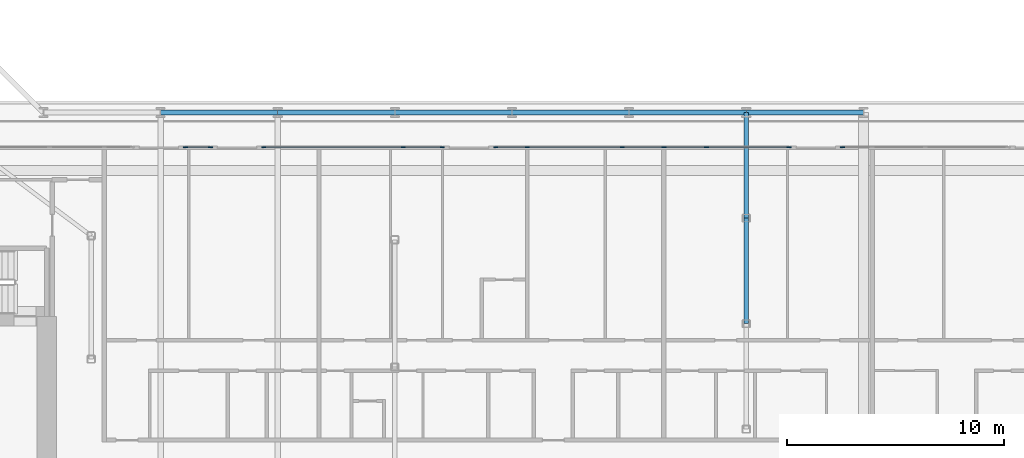
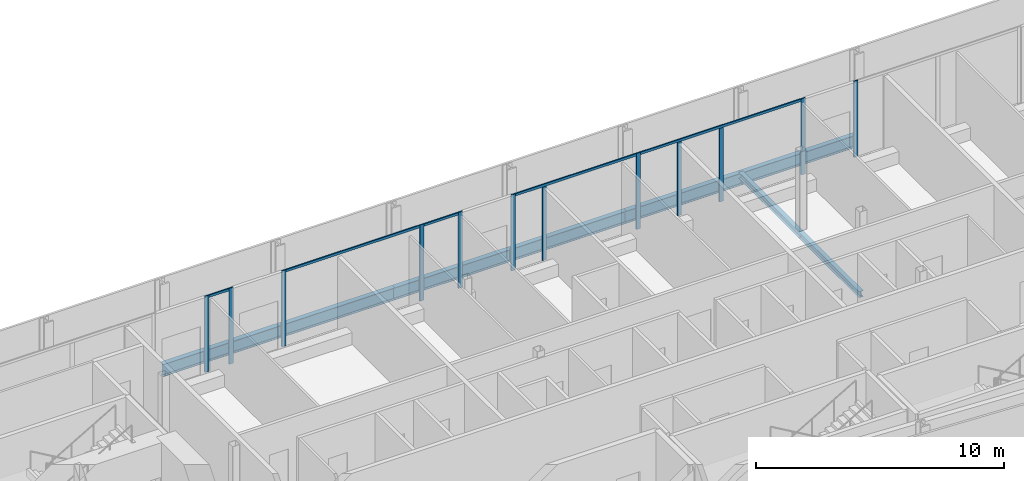
# One storey, part 6 of 28: 17 members, 8 beams, 6 elements without a shape of their own.
"""IFC4 building model written with IfcOpenShell, lengths in metres."""

from ifc_helpers import new_model, si_unit, direction, frame, origin, origin_2d, place, context, subcontext, project, spatial, rectangle, i_section, extrude, material, layer, layer_set, material_profile, profile_set, type_object, element, aggregate, save


model = new_model("IFC4")

# Units and contexts
model_context = context("Model", 3, precision=1e-05, world=origin(), true_north=direction((0.0, 1.0)))
body_context = subcontext(model_context, "Body", "Model", "MODEL_VIEW")
ifc_project = project(units=[si_unit("LENGTHUNIT", "METRE"), si_unit("AREAUNIT", "SQUARE_METRE"), si_unit("VOLUMEUNIT", "CUBIC_METRE"), si_unit("PLANEANGLEUNIT", "RADIAN"), si_unit("MASSUNIT", "GRAM", prefix="KILO")], contexts=[model_context])

# Site, building, storey
site_placement = place(None, origin())
site = spatial("IfcSite", under=ifc_project, at=site_placement, CompositionType="ELEMENT")
building_placement = place(site_placement, origin())
building = spatial("IfcBuilding", under=site, at=building_placement, Name="Kheshtan School and Residences Tower", CompositionType="ELEMENT")
storey_placement = place(building_placement, frame((0.0, 0.0, 133.10009765625)))
storey = spatial("IfcBuildingStorey", under=building, at=storey_placement, Name="L31", CompositionType="ELEMENT", Elevation=133.10009765625)

# Beams
ifc_material_1 = material(Name="Steel ASTM A992 Grade 50", Category="steel")
ifc_material_profile_1 = material_profile(ifc_material_1, i_section(OverallWidth=0.202880859375, OverallDepth=0.302978515625, WebThickness=0.007568359375, FlangeThickness=0.01318359375, FilletRadius=0.009033203125, at=origin_2d()), Name="W310x60")
ifc_profile_set_1 = profile_set([ifc_material_profile_1], Name="Steel ASTM A992 Grade 50")
beam_type_1 = type_object("IfcBeamType", Name="Beam FB1 W310x60 ASTM A992 Grade 50", PredefinedType="BEAM", material=ifc_profile_set_1)
for number, where, z_axis, x_axis, name in (
    (1, (85.39990234375, 45.60009765625, -0.301513671875), (0.0, -1.0, 0.0), (1.0, 0.0, 0.0), "Floor beam C067"),
    (2, (85.39990234375, 40.735107421875, -0.301513671875), (0.0, -1.0, 0.0), (1.0, 0.0, 0.0), "Floor beam IC"),
):
    element("IfcBeam", number, at=place(storey_placement, frame(where, z_axis=z_axis, x_axis=x_axis)), inside=storey, type_object=beam_type_1, Name=name, PredefinedType="BEAM", context=body_context, shape_type="SweptSolid", body=[
        extrude(i_section(OverallWidth=0.202880859375, OverallDepth=0.302978515625, WebThickness=0.007568359375, FlangeThickness=0.01318359375, FilletRadius=0.009033203125, at=origin_2d()), origin(), (0.0, 0.0, 1.0), 4.864990234375),
    ])
ifc_material_profile_2 = material_profile(ifc_material_1, i_section(OverallWidth=0.22802734375, OverallDepth=0.60302734375, WebThickness=0.010498046875, FlangeThickness=0.014892578125, FilletRadius=0.013427734375, at=origin_2d()), Name="W610x101")
ifc_profile_set_2 = profile_set([ifc_material_profile_2], Name="Steel ASTM A992 Grade 50")
beam_type_2 = type_object("IfcBeamType", Name="Beam SP2 W610x101 ASTM A992 Grade 50", PredefinedType="BEAM", material=ifc_profile_set_2)
beam_1_placement = place(storey_placement, frame((58.39990234375, 45.60009765625, -0.45166015625), z_axis=(1.0, 0.0, 0.0), x_axis=(0.0, 1.0, 0.0)))
element("IfcBeam", 3, at=beam_1_placement, inside=storey, type_object=beam_type_2, Name="Spandrel beam C062-C063", PredefinedType="BEAM", context=body_context, shape_type="SweptSolid", body=[
    extrude(i_section(OverallWidth=0.22802734375, OverallDepth=0.60302734375, WebThickness=0.010498046875, FlangeThickness=0.014892578125, FilletRadius=0.013427734375, at=origin_2d()), origin(), (0.0, 0.0, 1.0), 5.400146484375),
])
beam_2_placement = place(storey_placement, frame((63.800048828125, 45.60009765625, -0.45166015625), z_axis=(1.0, 0.0, 0.0), x_axis=(0.0, 1.0, 0.0)))
element("IfcBeam", 4, at=beam_2_placement, inside=storey, type_object=beam_type_2, Name="Spandrel beam C063-C064", PredefinedType="BEAM", context=body_context, shape_type="SweptSolid", body=[
    extrude(i_section(OverallWidth=0.22802734375, OverallDepth=0.60302734375, WebThickness=0.010498046875, FlangeThickness=0.014892578125, FilletRadius=0.013427734375, at=origin_2d()), origin(), (0.0, 0.0, 1.0), 5.39990234375),
])
beam_3_placement = place(storey_placement, frame((69.199951171875, 45.60009765625, -0.45166015625), z_axis=(1.0, 0.0, 0.0), x_axis=(0.0, 1.0, 0.0)))
element("IfcBeam", 5, at=beam_3_placement, inside=storey, type_object=beam_type_2, Name="Spandrel beam C064-C065", PredefinedType="BEAM", context=body_context, shape_type="SweptSolid", body=[
    extrude(i_section(OverallWidth=0.22802734375, OverallDepth=0.60302734375, WebThickness=0.010498046875, FlangeThickness=0.014892578125, FilletRadius=0.013427734375, at=origin_2d()), origin(), (0.0, 0.0, 1.0), 5.400146484375),
])
for number, where, z_axis, x_axis, name in (
    (6, (74.60009765625, 45.60009765625, -0.45166015625), (1.0, 0.0, 0.0), (0.0, 1.0, 0.0), "Spandrel beam C065-C066"),
    (7, (80.0, 45.60009765625, -0.45166015625), (1.0, 0.0, 0.0), (0.0, 1.0, 0.0), "Spandrel beam C066-C067"),
):
    element("IfcBeam", number, at=place(storey_placement, frame(where, z_axis=z_axis, x_axis=x_axis)), inside=storey, type_object=beam_type_2, Name=name, PredefinedType="BEAM", context=body_context, shape_type="SweptSolid", body=[
        extrude(i_section(OverallWidth=0.22802734375, OverallDepth=0.60302734375, WebThickness=0.010498046875, FlangeThickness=0.014892578125, FilletRadius=0.013427734375, at=origin_2d()), origin(), (0.0, 0.0, 1.0), 5.39990234375),
    ])
beam_4_placement = place(storey_placement, frame((85.39990234375, 45.60009765625, -0.45166015625), z_axis=(1.0, 0.0, 0.0), x_axis=(0.0, 1.0, 0.0)))
element("IfcBeam", 8, at=beam_4_placement, inside=storey, type_object=beam_type_2, Name="Spandrel beam C067-C068", PredefinedType="BEAM", context=body_context, shape_type="SweptSolid", body=[
    extrude(i_section(OverallWidth=0.22802734375, OverallDepth=0.60302734375, WebThickness=0.010498046875, FlangeThickness=0.014892578125, FilletRadius=0.013427734375, at=origin_2d()), origin(), (0.0, 0.0, 1.0), 5.400146484375),
])

# Curtain wall, members
ifc_material_2 = material(Name="Clear low-e glass in thermally broken aluminium frame", Category="aluminium")
ifc_layer = layer(ifc_material_2, 0.199951171875)
ifc_layer_set = layer_set([ifc_layer], Name="Curtain wall CW-L")
curtain_wall_type = type_object("IfcCurtainWallType", Name="Curtain wall CW-L", PredefinedType="NOTDEFINED", material=ifc_layer_set)
curtain_wall_1_placement = place(storey_placement, origin())
curtain_wall_1 = element("IfcCurtainWall", 9, at=curtain_wall_1_placement, inside=storey, type_object=curtain_wall_type, Name="Curtain wall CWL12b", PredefinedType="NOTDEFINED")
ifc_material_3 = material(Name="Thermally broken aluminium, dark bronze anodised", Category="aluminium")
ifc_material_profile_3 = material_profile(ifc_material_3, rectangle(XDim=0.06005859375, YDim=0.199951171875, at=origin_2d()), Name="CW-L mullion 60x200")
ifc_profile_set_3 = profile_set([ifc_material_profile_3], Name="Thermally broken aluminium, dark bronze anodised")
member_type_1 = type_object("IfcMemberType", Name="CW-L mullion 60x200", PredefinedType="MULLION", material=ifc_profile_set_3)
member_1_placement = place(storey_placement, frame((59.553955078125, 44.0, 0.0), z_axis=(0.0, 0.0, 1.0), x_axis=(0.0, 1.0, 0.0)))
member_1 = element("IfcMember", 10, at=member_1_placement, type_object=member_type_1, Name="CWL12b mullion 1", PredefinedType="MULLION", context=body_context, shape_type="SweptSolid", body=[
    extrude(rectangle(XDim=0.06005859375, YDim=0.199951171875, at=origin_2d()), origin(), (0.0, 0.0, 1.0), 3.75),
])
member_2_placement = place(storey_placement, frame((60.694091796875, 44.0, 0.0), z_axis=(0.0, 0.0, 1.0), x_axis=(0.0, 1.0, 0.0)))
member_2 = element("IfcMember", 11, at=member_2_placement, type_object=member_type_1, Name="CWL12b mullion 2", PredefinedType="MULLION", context=body_context, shape_type="SweptSolid", body=[
    extrude(rectangle(XDim=0.06005859375, YDim=0.199951171875, at=origin_2d()), origin(), (0.0, 0.0, 1.0), 3.75),
])

curtain_wall_2_placement = place(storey_placement, origin())
curtain_wall_2 = element("IfcCurtainWall", 12, at=curtain_wall_2_placement, inside=storey, type_object=curtain_wall_type, Name="Curtain wall CWL12s", PredefinedType="NOTDEFINED")
member_3_placement = place(storey_placement, frame((63.154052734375, 44.0, 0.0), z_axis=(0.0, 0.0, 1.0), x_axis=(0.0, 1.0, 0.0)))
member_3 = element("IfcMember", 13, at=member_3_placement, type_object=member_type_1, Name="CWL12s mullion 1", PredefinedType="MULLION", context=body_context, shape_type="SweptSolid", body=[
    extrude(rectangle(XDim=0.06005859375, YDim=0.199951171875, at=origin_2d()), origin(), (0.0, 0.0, 1.0), 3.75),
])
member_4_placement = place(storey_placement, frame((69.587890625, 44.0, 0.0), z_axis=(0.0, 0.0, 1.0), x_axis=(0.0, 1.0, 0.0)))
member_4 = element("IfcMember", 14, at=member_4_placement, type_object=member_type_1, Name="CWL12s mullion 2", PredefinedType="MULLION", context=body_context, shape_type="SweptSolid", body=[
    extrude(rectangle(XDim=0.06005859375, YDim=0.199951171875, at=origin_2d()), origin(), (0.0, 0.0, 1.0), 3.75),
])

# Curtain wall, member
curtain_wall_3_placement = place(storey_placement, origin())
curtain_wall_3 = element("IfcCurtainWall", 15, at=curtain_wall_3_placement, inside=storey, type_object=curtain_wall_type, Name="Curtain wall CWL12q", PredefinedType="NOTDEFINED")
member_5_placement = place(storey_placement, frame((71.387939453125, 44.0, 0.0), z_axis=(0.0, 0.0, 1.0), x_axis=(0.0, 1.0, 0.0)))
member_5 = element("IfcMember", 16, at=member_5_placement, type_object=member_type_1, Name="CWL12q mullion 2", PredefinedType="MULLION", context=body_context, shape_type="SweptSolid", body=[
    extrude(rectangle(XDim=0.06005859375, YDim=0.199951171875, at=origin_2d()), origin(), (0.0, 0.0, 1.0), 3.75),
])

# Curtain wall, members
curtain_wall_4_placement = place(storey_placement, origin())
curtain_wall_4 = element("IfcCurtainWall", 17, at=curtain_wall_4_placement, inside=storey, type_object=curtain_wall_type, Name="Curtain wall CWL12t", PredefinedType="NOTDEFINED")
member_6_placement = place(storey_placement, frame((73.847900390625, 44.0, 0.0), z_axis=(0.0, 0.0, 1.0), x_axis=(0.0, 1.0, 0.0)))
member_6 = element("IfcMember", 18, at=member_6_placement, type_object=member_type_1, Name="CWL12t mullion 1", PredefinedType="MULLION", context=body_context, shape_type="SweptSolid", body=[
    extrude(rectangle(XDim=0.06005859375, YDim=0.199951171875, at=origin_2d()), origin(), (0.0, 0.0, 1.0), 3.75),
])
member_7_placement = place(storey_placement, frame((75.300048828125, 44.0, 0.0), z_axis=(0.0, 0.0, 1.0), x_axis=(0.0, 1.0, 0.0)))
member_7 = element("IfcMember", 19, at=member_7_placement, type_object=member_type_1, Name="CWL12t mullion 2", PredefinedType="MULLION", context=body_context, shape_type="SweptSolid", body=[
    extrude(rectangle(XDim=0.06005859375, YDim=0.199951171875, at=origin_2d()), origin(), (0.0, 0.0, 1.0), 3.6298828125),
])
member_8_placement = place(storey_placement, frame((79.681884765625, 44.0, 0.0), z_axis=(0.0, 0.0, 1.0), x_axis=(0.0, 1.0, 0.0)))
member_8 = element("IfcMember", 20, at=member_8_placement, type_object=member_type_1, Name="CWL12t mullion 3", PredefinedType="MULLION", context=body_context, shape_type="SweptSolid", body=[
    extrude(rectangle(XDim=0.06005859375, YDim=0.199951171875, at=origin_2d()), origin(), (0.0, 0.0, 1.0), 3.75),
])

curtain_wall_5_placement = place(storey_placement, origin())
curtain_wall_5 = element("IfcCurtainWall", 21, at=curtain_wall_5_placement, inside=storey, type_object=curtain_wall_type, Name="Curtain wall CWL12k", PredefinedType="NOTDEFINED")
member_9_placement = place(storey_placement, frame((81.60009765625, 44.0, 0.0), z_axis=(0.0, 0.0, 1.0), x_axis=(0.0, 1.0, 0.0)))
member_9 = element("IfcMember", 22, at=member_9_placement, type_object=member_type_1, Name="CWL12k mullion 2", PredefinedType="MULLION", context=body_context, shape_type="SweptSolid", body=[
    extrude(rectangle(XDim=0.06005859375, YDim=0.199951171875, at=origin_2d()), origin(), (0.0, 0.0, 1.0), 3.6298828125),
])
member_10_placement = place(storey_placement, frame((83.55908203125, 44.0, 0.0), z_axis=(0.0, 0.0, 1.0), x_axis=(0.0, 1.0, 0.0)))
member_10 = element("IfcMember", 23, at=member_10_placement, type_object=member_type_1, Name="CWL12k mullion 3", PredefinedType="MULLION", context=body_context, shape_type="SweptSolid", body=[
    extrude(rectangle(XDim=0.06005859375, YDim=0.199951171875, at=origin_2d()), origin(), (0.0, 0.0, 1.0), 3.6298828125),
])
member_11_placement = place(storey_placement, frame((87.3759765625, 44.0, 0.0), z_axis=(0.0, 0.0, 1.0), x_axis=(0.0, 1.0, 0.0)))
member_11 = element("IfcMember", 24, at=member_11_placement, type_object=member_type_1, Name="CWL12k mullion 4", PredefinedType="MULLION", context=body_context, shape_type="SweptSolid", body=[
    extrude(rectangle(XDim=0.06005859375, YDim=0.199951171875, at=origin_2d()), origin(), (0.0, 0.0, 1.0), 3.75),
])

# Curtain wall, member
curtain_wall_6_placement = place(storey_placement, origin())
curtain_wall_6 = element("IfcCurtainWall", 25, at=curtain_wall_6_placement, inside=storey, type_object=curtain_wall_type, Name="Curtain wall CWL12k", PredefinedType="NOTDEFINED")
member_12_placement = place(storey_placement, frame((89.8359375, 44.0, 0.0), z_axis=(0.0, 0.0, 1.0), x_axis=(0.0, 1.0, 0.0)))
member_12 = element("IfcMember", 26, at=member_12_placement, type_object=member_type_1, Name="CWL12k mullion 1", PredefinedType="MULLION", context=body_context, shape_type="SweptSolid", body=[
    extrude(rectangle(XDim=0.06005859375, YDim=0.199951171875, at=origin_2d()), origin(), (0.0, 0.0, 1.0), 3.75),
])
aggregate(curtain_wall_6, [member_12])

# Member
ifc_material_profile_4 = material_profile(ifc_material_3, rectangle(XDim=0.06005859375, YDim=0.1201171875, at=origin_2d()), Name="CW-L transom 60x120")
ifc_profile_set_4 = profile_set([ifc_material_profile_4], Name="Thermally broken aluminium, dark bronze anodised")
member_type_2 = type_object("IfcMemberType", Name="CW-L transom 60x120", PredefinedType="USERDEFINED", material=ifc_profile_set_4)
member_13_placement = place(storey_placement, frame((59.583984375, 44.0, 3.68994140625), z_axis=(1.0, 0.0, 0.0), x_axis=(0.0, 1.0, 0.0)))
member_13 = element("IfcMember", 27, at=member_13_placement, type_object=member_type_2, Name="CWL12b transom 1", ObjectType="TRANSOM", PredefinedType="USERDEFINED", context=body_context, shape_type="SweptSolid", body=[
    extrude(rectangle(XDim=0.06005859375, YDim=0.1201171875, at=origin_2d()), origin(), (0.0, 0.0, 1.0), 1.080078125),
])

aggregate(curtain_wall_1, [member_1, member_2, member_13])

member_14_placement = place(storey_placement, frame((63.18408203125, 44.0, 3.68994140625), z_axis=(1.0, 0.0, 0.0), x_axis=(0.0, 1.0, 0.0)))
member_14 = element("IfcMember", 28, at=member_14_placement, type_object=member_type_2, Name="CWL12s transom 1", ObjectType="TRANSOM", PredefinedType="USERDEFINED", context=body_context, shape_type="SweptSolid", body=[
    extrude(rectangle(XDim=0.06005859375, YDim=0.1201171875, at=origin_2d()), origin(), (0.0, 0.0, 1.0), 6.3740234375),
])

aggregate(curtain_wall_2, [member_3, member_4, member_14])

member_15_placement = place(storey_placement, frame((69.617919921875, 44.0, 3.68994140625), z_axis=(1.0, 0.0, 0.0), x_axis=(0.0, 1.0, 0.0)))
member_15 = element("IfcMember", 29, at=member_15_placement, type_object=member_type_2, Name="CWL12q transom 1", ObjectType="TRANSOM", PredefinedType="USERDEFINED", context=body_context, shape_type="SweptSolid", body=[
    extrude(rectangle(XDim=0.06005859375, YDim=0.1201171875, at=origin_2d()), origin(), (0.0, 0.0, 1.0), 1.739990234375),
])

aggregate(curtain_wall_3, [member_5, member_15])

member_16_placement = place(storey_placement, frame((73.8779296875, 44.0, 3.68994140625), z_axis=(1.0, 0.0, 0.0), x_axis=(0.0, 1.0, 0.0)))
member_16 = element("IfcMember", 30, at=member_16_placement, type_object=member_type_2, Name="CWL12t transom 1", ObjectType="TRANSOM", PredefinedType="USERDEFINED", context=body_context, shape_type="SweptSolid", body=[
    extrude(rectangle(XDim=0.06005859375, YDim=0.1201171875, at=origin_2d()), origin(), (0.0, 0.0, 1.0), 5.774169921875),
])

aggregate(curtain_wall_4, [member_6, member_7, member_8, member_16])

member_17_placement = place(storey_placement, frame((79.7119140625, 44.0, 3.68994140625), z_axis=(1.0, 0.0, 0.0), x_axis=(0.0, 1.0, 0.0)))
member_17 = element("IfcMember", 31, at=member_17_placement, type_object=member_type_2, Name="CWL12k transom 1", ObjectType="TRANSOM", PredefinedType="USERDEFINED", context=body_context, shape_type="SweptSolid", body=[
    extrude(rectangle(XDim=0.06005859375, YDim=0.1201171875, at=origin_2d()), origin(), (0.0, 0.0, 1.0), 7.634033203125),
])

aggregate(curtain_wall_5, [member_9, member_10, member_11, member_17])

save(model, "model.ifc")
